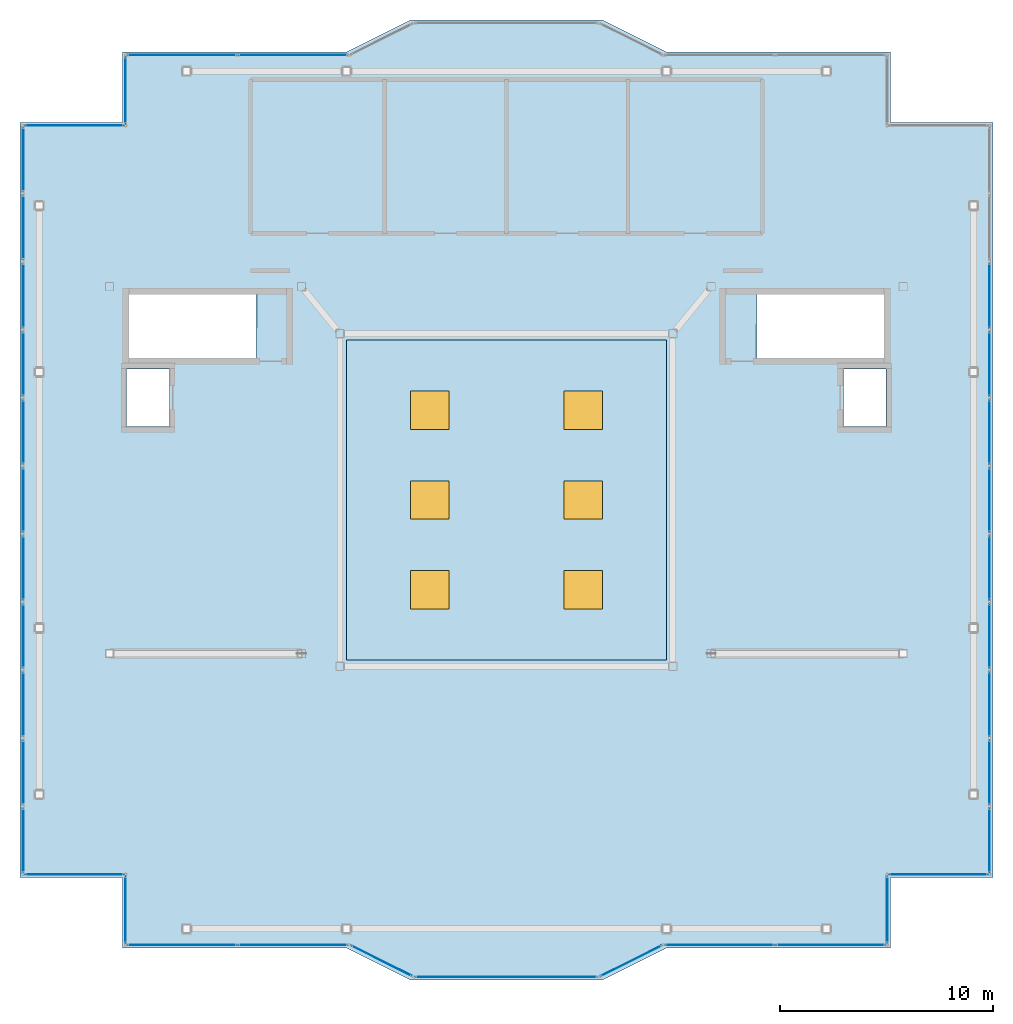
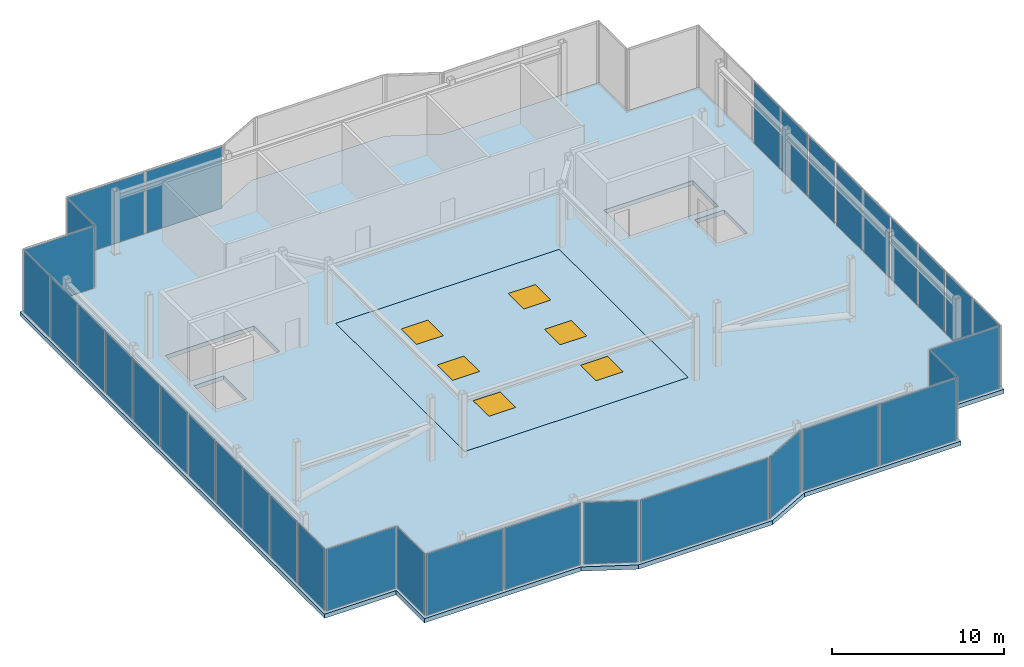
# One storey, part 13 of 18: 35 plates, 6 windows, 2 slabs, 6 openings, 32 elements without a shape of their own.
"""IFC4 building model written with IfcOpenShell, lengths in metres."""

from ifc_helpers import new_model, si_unit, direction, frame, origin, origin_2d, place, context, subcontext, project, spatial, polyline, rectangle, outline, extrude, material, layer, layer_set, type_object, element, fill, aggregate, save


model = new_model("IFC4")

# Units and contexts
model_context = context("Model", 3, precision=1e-05, world=origin(), true_north=direction((0.0, 1.0)))
body_context = subcontext(model_context, "Body", "Model", "MODEL_VIEW")
ifc_project = project(units=[si_unit("LENGTHUNIT", "METRE"), si_unit("AREAUNIT", "SQUARE_METRE"), si_unit("VOLUMEUNIT", "CUBIC_METRE"), si_unit("PLANEANGLEUNIT", "RADIAN"), si_unit("MASSUNIT", "GRAM", prefix="KILO")], contexts=[model_context])

# Site, building, storey
site_placement = place(None, origin())
site = spatial("IfcSite", under=ifc_project, at=site_placement, CompositionType="ELEMENT")
building_placement = place(site_placement, origin())
building = spatial("IfcBuilding", under=site, at=building_placement, Name="Tarnavaz Court Tower", CompositionType="ELEMENT")
storey_placement = place(building_placement, frame((0.0, 0.0, 281.550048828125)))
storey = spatial("IfcBuildingStorey", under=building, at=storey_placement, Name="C01", CompositionType="ELEMENT", Elevation=281.550048828125)

# Curtain wall, plates
ifc_material_1 = material(Name="Anodised Aluminium 6063-T6 and Solar Low-E Glazing", Category="aluminium")
ifc_layer_1 = layer(ifc_material_1, 0.2099609375)
ifc_layer_set_1 = layer_set([ifc_layer_1], Name="Anodised Aluminium 6063-T6 and Solar Low-E Glazing")
curtain_wall_type = type_object("IfcCurtainWallType", Name="CW-SYS-06", PredefinedType="NOTDEFINED", material=ifc_layer_set_1)
curtain_wall_1_placement = place(storey_placement, origin())
curtain_wall_1 = element("IfcCurtainWall", 1, at=curtain_wall_1_placement, inside=storey, type_object=curtain_wall_type, Name="C01 Slanted Crown Terracotta Curtain Wall 1", PredefinedType="NOTDEFINED")
ifc_material_2 = material(Name="Double-Glazed Solar Low-E Glass", Category="glass")
ifc_layer_2 = layer(ifc_material_2, 0.028076171875)
ifc_layer_set_2 = layer_set([ifc_layer_2], Name="Double-Glazed Solar Low-E Glass")
plate_type = type_object("IfcPlateType", Name="CW-PAN-GLZ28", PredefinedType="CURTAIN_PANEL", material=ifc_layer_set_2)
plate_1_placement = place(storey_placement, frame((-9.996337890625, -20.85009765625, 0.06494140625), z_axis=(0.0, 0.0, 1.0), x_axis=(-1.0, 0.0, 0.0)))
plate_1 = element("IfcPlate", 2, at=plate_1_placement, type_object=plate_type, Name="CW panel 1.1", PredefinedType="CURTAIN_PANEL", context=body_context, shape_type="SweptSolid", body=[
    extrude(rectangle(XDim=5.12255859375, YDim=0.028076171875, at=origin_2d()), origin(), (0.0, 0.0, 1.0), 4.3701171875),
])
plate_2_placement = place(storey_placement, frame((-15.203857421875, -20.85009765625, 0.06494140625), z_axis=(0.0, 0.0, 1.0), x_axis=(-1.0, 0.0, 0.0)))
plate_2 = element("IfcPlate", 3, at=plate_2_placement, type_object=plate_type, Name="CW panel 2.1", PredefinedType="CURTAIN_PANEL", context=body_context, shape_type="SweptSolid", body=[
    extrude(rectangle(XDim=5.12255859375, YDim=0.028076171875, at=origin_2d()), origin(), (0.0, 0.0, 1.0), 4.3701171875),
])
aggregate(curtain_wall_1, [plate_1, plate_2])

# Curtain wall, plate
curtain_wall_2_placement = place(storey_placement, origin())
curtain_wall_2 = element("IfcCurtainWall", 4, at=curtain_wall_2_placement, inside=storey, type_object=curtain_wall_type, Name="C01 Slanted Crown Terracotta Curtain Wall 2", PredefinedType="NOTDEFINED")
plate_3_placement = place(storey_placement, frame((-17.85009765625, -19.199951171875, 0.06494140625), z_axis=(0.0, 0.0, 1.0), x_axis=(0.0, 1.0, 0.0)))
plate_3 = element("IfcPlate", 5, at=plate_3_placement, type_object=plate_type, Name="CW panel 1.1", PredefinedType="CURTAIN_PANEL", context=body_context, shape_type="SweptSolid", body=[
    extrude(rectangle(XDim=3.1298828125, YDim=0.028076171875, at=origin_2d()), origin(), (0.0, 0.0, 1.0), 4.3701171875),
])
aggregate(curtain_wall_2, [plate_3])

curtain_wall_3_placement = place(storey_placement, origin())
curtain_wall_3 = element("IfcCurtainWall", 6, at=curtain_wall_3_placement, inside=storey, type_object=curtain_wall_type, Name="C01 Slanted Crown Terracotta Curtain Wall 3", PredefinedType="NOTDEFINED")
plate_4_placement = place(storey_placement, frame((-20.25, -17.550048828125, 0.06494140625), z_axis=(0.0, 0.0, 1.0), x_axis=(-1.0, 0.0, 0.0)))
plate_4 = element("IfcPlate", 7, at=plate_4_placement, type_object=plate_type, Name="CW panel 1.1", PredefinedType="CURTAIN_PANEL", context=body_context, shape_type="SweptSolid", body=[
    extrude(rectangle(XDim=4.6298828125, YDim=0.028076171875, at=origin_2d()), origin(), (0.0, 0.0, 1.0), 4.3701171875),
])
aggregate(curtain_wall_3, [plate_4])

curtain_wall_4_placement = place(storey_placement, origin())
curtain_wall_4 = element("IfcCurtainWall", 8, at=curtain_wall_4_placement, inside=storey, type_object=curtain_wall_type, Name="C01 Slanted Crown Terracotta Curtain Wall 4", PredefinedType="NOTDEFINED")
plate_5_placement = place(storey_placement, frame((-22.64990234375, -15.95458984375, 0.06494140625), z_axis=(0.0, 0.0, 1.0), x_axis=(0.0, 1.0, 0.0)))
plate_5 = element("IfcPlate", 9, at=plate_5_placement, type_object=plate_type, Name="CW panel 1.1", PredefinedType="CURTAIN_PANEL", context=body_context, shape_type="SweptSolid", body=[
    extrude(rectangle(XDim=3.02099609375, YDim=0.028076171875, at=origin_2d()), origin(), (0.0, 0.0, 1.0), 4.3701171875),
])
aggregate(curtain_wall_4, [plate_5])

curtain_wall_5_placement = place(storey_placement, origin())
curtain_wall_5 = element("IfcCurtainWall", 10, at=curtain_wall_5_placement, inside=storey, type_object=curtain_wall_type, Name="C01 Slanted Crown Terracotta Curtain Wall 5", PredefinedType="NOTDEFINED")
plate_6_placement = place(storey_placement, frame((-22.64990234375, -12.763671875, 0.06494140625), z_axis=(0.0, 0.0, 1.0), x_axis=(0.0, 1.0, 0.0)))
plate_6 = element("IfcPlate", 11, at=plate_6_placement, type_object=plate_type, Name="CW panel 1.1", PredefinedType="CURTAIN_PANEL", context=body_context, shape_type="SweptSolid", body=[
    extrude(rectangle(XDim=3.02099609375, YDim=0.028076171875, at=origin_2d()), origin(), (0.0, 0.0, 1.0), 4.3701171875),
])
aggregate(curtain_wall_5, [plate_6])

curtain_wall_6_placement = place(storey_placement, origin())
curtain_wall_6 = element("IfcCurtainWall", 12, at=curtain_wall_6_placement, inside=storey, type_object=curtain_wall_type, Name="C01 Slanted Crown Terracotta Curtain Wall 6", PredefinedType="NOTDEFINED")
plate_7_placement = place(storey_placement, frame((-22.64990234375, -9.57275390625, 0.06494140625), z_axis=(0.0, 0.0, 1.0), x_axis=(0.0, 1.0, 0.0)))
plate_7 = element("IfcPlate", 13, at=plate_7_placement, type_object=plate_type, Name="CW panel 1.1", PredefinedType="CURTAIN_PANEL", context=body_context, shape_type="SweptSolid", body=[
    extrude(rectangle(XDim=3.02099609375, YDim=0.028076171875, at=origin_2d()), origin(), (0.0, 0.0, 1.0), 4.3701171875),
])
aggregate(curtain_wall_6, [plate_7])

curtain_wall_7_placement = place(storey_placement, origin())
curtain_wall_7 = element("IfcCurtainWall", 14, at=curtain_wall_7_placement, inside=storey, type_object=curtain_wall_type, Name="C01 Slanted Crown Terracotta Curtain Wall 7", PredefinedType="NOTDEFINED")
plate_8_placement = place(storey_placement, frame((-22.64990234375, -6.3818359375, 0.06494140625), z_axis=(0.0, 0.0, 1.0), x_axis=(0.0, 1.0, 0.0)))
plate_8 = element("IfcPlate", 15, at=plate_8_placement, type_object=plate_type, Name="CW panel 1.1", PredefinedType="CURTAIN_PANEL", context=body_context, shape_type="SweptSolid", body=[
    extrude(rectangle(XDim=3.02099609375, YDim=0.028076171875, at=origin_2d()), origin(), (0.0, 0.0, 1.0), 4.3701171875),
])
aggregate(curtain_wall_7, [plate_8])

curtain_wall_8_placement = place(storey_placement, origin())
curtain_wall_8 = element("IfcCurtainWall", 16, at=curtain_wall_8_placement, inside=storey, type_object=curtain_wall_type, Name="C01 Slanted Crown Terracotta Curtain Wall 8", PredefinedType="NOTDEFINED")
plate_9_placement = place(storey_placement, frame((-22.64990234375, -3.19091796875, 0.06494140625), z_axis=(0.0, 0.0, 1.0), x_axis=(0.0, 1.0, 0.0)))
plate_9 = element("IfcPlate", 17, at=plate_9_placement, type_object=plate_type, Name="CW panel 1.1", PredefinedType="CURTAIN_PANEL", context=body_context, shape_type="SweptSolid", body=[
    extrude(rectangle(XDim=3.02099609375, YDim=0.028076171875, at=origin_2d()), origin(), (0.0, 0.0, 1.0), 4.3701171875),
])
aggregate(curtain_wall_8, [plate_9])

curtain_wall_9_placement = place(storey_placement, origin())
curtain_wall_9 = element("IfcCurtainWall", 18, at=curtain_wall_9_placement, inside=storey, type_object=curtain_wall_type, Name="C01 Slanted Crown Terracotta Curtain Wall 9", PredefinedType="NOTDEFINED")
plate_10_placement = place(storey_placement, frame((-22.64990234375, 0.0, 0.06494140625), z_axis=(0.0, 0.0, 1.0), x_axis=(0.0, 1.0, 0.0)))
plate_10 = element("IfcPlate", 19, at=plate_10_placement, type_object=plate_type, Name="CW panel 1.1", PredefinedType="CURTAIN_PANEL", context=body_context, shape_type="SweptSolid", body=[
    extrude(rectangle(XDim=3.02099609375, YDim=0.028076171875, at=origin_2d()), origin(), (0.0, 0.0, 1.0), 4.3701171875),
])
aggregate(curtain_wall_9, [plate_10])

curtain_wall_10_placement = place(storey_placement, origin())
curtain_wall_10 = element("IfcCurtainWall", 20, at=curtain_wall_10_placement, inside=storey, type_object=curtain_wall_type, Name="C01 Slanted Crown Terracotta Curtain Wall 10", PredefinedType="NOTDEFINED")
plate_11_placement = place(storey_placement, frame((-22.64990234375, 3.19091796875, 0.06494140625), z_axis=(0.0, 0.0, 1.0), x_axis=(0.0, 1.0, 0.0)))
plate_11 = element("IfcPlate", 21, at=plate_11_placement, type_object=plate_type, Name="CW panel 1.1", PredefinedType="CURTAIN_PANEL", context=body_context, shape_type="SweptSolid", body=[
    extrude(rectangle(XDim=3.02099609375, YDim=0.028076171875, at=origin_2d()), origin(), (0.0, 0.0, 1.0), 4.3701171875),
])
aggregate(curtain_wall_10, [plate_11])

curtain_wall_11_placement = place(storey_placement, origin())
curtain_wall_11 = element("IfcCurtainWall", 22, at=curtain_wall_11_placement, inside=storey, type_object=curtain_wall_type, Name="C01 Slanted Crown Terracotta Curtain Wall 11", PredefinedType="NOTDEFINED")
plate_12_placement = place(storey_placement, frame((-22.64990234375, 6.3818359375, 0.06494140625), z_axis=(0.0, 0.0, 1.0), x_axis=(0.0, 1.0, 0.0)))
plate_12 = element("IfcPlate", 23, at=plate_12_placement, type_object=plate_type, Name="CW panel 1.1", PredefinedType="CURTAIN_PANEL", context=body_context, shape_type="SweptSolid", body=[
    extrude(rectangle(XDim=3.02099609375, YDim=0.028076171875, at=origin_2d()), origin(), (0.0, 0.0, 1.0), 4.3701171875),
])
aggregate(curtain_wall_11, [plate_12])

curtain_wall_12_placement = place(storey_placement, origin())
curtain_wall_12 = element("IfcCurtainWall", 24, at=curtain_wall_12_placement, inside=storey, type_object=curtain_wall_type, Name="C01 Slanted Crown Terracotta Curtain Wall 12", PredefinedType="NOTDEFINED")
plate_13_placement = place(storey_placement, frame((-22.64990234375, 9.57275390625, 0.06494140625), z_axis=(0.0, 0.0, 1.0), x_axis=(0.0, 1.0, 0.0)))
plate_13 = element("IfcPlate", 25, at=plate_13_placement, type_object=plate_type, Name="CW panel 1.1", PredefinedType="CURTAIN_PANEL", context=body_context, shape_type="SweptSolid", body=[
    extrude(rectangle(XDim=3.02099609375, YDim=0.028076171875, at=origin_2d()), origin(), (0.0, 0.0, 1.0), 4.3701171875),
])
aggregate(curtain_wall_12, [plate_13])

curtain_wall_13_placement = place(storey_placement, origin())
curtain_wall_13 = element("IfcCurtainWall", 26, at=curtain_wall_13_placement, inside=storey, type_object=curtain_wall_type, Name="C01 Slanted Crown Terracotta Curtain Wall 13", PredefinedType="NOTDEFINED")
plate_14_placement = place(storey_placement, frame((-22.64990234375, 12.763671875, 0.06494140625), z_axis=(0.0, 0.0, 1.0), x_axis=(0.0, 1.0, 0.0)))
plate_14 = element("IfcPlate", 27, at=plate_14_placement, type_object=plate_type, Name="CW panel 1.1", PredefinedType="CURTAIN_PANEL", context=body_context, shape_type="SweptSolid", body=[
    extrude(rectangle(XDim=3.02099609375, YDim=0.028076171875, at=origin_2d()), origin(), (0.0, 0.0, 1.0), 4.3701171875),
])
aggregate(curtain_wall_13, [plate_14])

curtain_wall_14_placement = place(storey_placement, origin())
curtain_wall_14 = element("IfcCurtainWall", 28, at=curtain_wall_14_placement, inside=storey, type_object=curtain_wall_type, Name="C01 Slanted Crown Terracotta Curtain Wall 14", PredefinedType="NOTDEFINED")
plate_15_placement = place(storey_placement, frame((-22.64990234375, 15.95458984375, 0.06494140625), z_axis=(0.0, 0.0, 1.0), x_axis=(0.0, 1.0, 0.0)))
plate_15 = element("IfcPlate", 29, at=plate_15_placement, type_object=plate_type, Name="CW panel 1.1", PredefinedType="CURTAIN_PANEL", context=body_context, shape_type="SweptSolid", body=[
    extrude(rectangle(XDim=3.02099609375, YDim=0.028076171875, at=origin_2d()), origin(), (0.0, 0.0, 1.0), 4.3701171875),
])
aggregate(curtain_wall_14, [plate_15])

curtain_wall_15_placement = place(storey_placement, origin())
curtain_wall_15 = element("IfcCurtainWall", 30, at=curtain_wall_15_placement, inside=storey, type_object=curtain_wall_type, Name="C01 Slanted Crown Terracotta Curtain Wall 15", PredefinedType="NOTDEFINED")
plate_16_placement = place(storey_placement, frame((-20.25, 17.550048828125, 0.06494140625), z_axis=(0.0, 0.0, 1.0), x_axis=(1.0, 0.0, 0.0)))
plate_16 = element("IfcPlate", 31, at=plate_16_placement, type_object=plate_type, Name="CW panel 1.1", PredefinedType="CURTAIN_PANEL", context=body_context, shape_type="SweptSolid", body=[
    extrude(rectangle(XDim=4.6298828125, YDim=0.028076171875, at=origin_2d()), origin(), (0.0, 0.0, 1.0), 4.3701171875),
])
aggregate(curtain_wall_15, [plate_16])

curtain_wall_16_placement = place(storey_placement, origin())
curtain_wall_16 = element("IfcCurtainWall", 32, at=curtain_wall_16_placement, inside=storey, type_object=curtain_wall_type, Name="C01 Slanted Crown Terracotta Curtain Wall 16", PredefinedType="NOTDEFINED")
plate_17_placement = place(storey_placement, frame((-17.85009765625, 19.199951171875, 0.06494140625), z_axis=(0.0, 0.0, 1.0), x_axis=(0.0, 1.0, 0.0)))
plate_17 = element("IfcPlate", 33, at=plate_17_placement, type_object=plate_type, Name="CW panel 1.1", PredefinedType="CURTAIN_PANEL", context=body_context, shape_type="SweptSolid", body=[
    extrude(rectangle(XDim=3.1298828125, YDim=0.028076171875, at=origin_2d()), origin(), (0.0, 0.0, 1.0), 4.3701171875),
])
aggregate(curtain_wall_16, [plate_17])

# Curtain wall, plates
curtain_wall_17_placement = place(storey_placement, origin())
curtain_wall_17 = element("IfcCurtainWall", 34, at=curtain_wall_17_placement, inside=storey, type_object=curtain_wall_type, Name="C01 Slanted Crown Terracotta Curtain Wall 17", PredefinedType="NOTDEFINED")
plate_18_placement = place(storey_placement, frame((-15.203857421875, 20.85009765625, 0.06494140625), z_axis=(0.0, 0.0, 1.0), x_axis=(1.0, 0.0, 0.0)))
plate_18 = element("IfcPlate", 35, at=plate_18_placement, type_object=plate_type, Name="CW panel 1.1", PredefinedType="CURTAIN_PANEL", context=body_context, shape_type="SweptSolid", body=[
    extrude(rectangle(XDim=5.12255859375, YDim=0.028076171875, at=origin_2d()), origin(), (0.0, 0.0, 1.0), 4.3701171875),
])
plate_19_placement = place(storey_placement, frame((-9.996337890625, 20.85009765625, 0.06494140625), z_axis=(0.0, 0.0, 1.0), x_axis=(1.0, 0.0, 0.0)))
plate_19 = element("IfcPlate", 36, at=plate_19_placement, type_object=plate_type, Name="CW panel 2.1", PredefinedType="CURTAIN_PANEL", context=body_context, shape_type="SweptSolid", body=[
    extrude(rectangle(XDim=5.12255859375, YDim=0.028076171875, at=origin_2d()), origin(), (0.0, 0.0, 1.0), 4.3701171875),
])
aggregate(curtain_wall_17, [plate_18, plate_19])

# Curtain wall, plate
curtain_wall_18_placement = place(storey_placement, origin())
curtain_wall_18 = element("IfcCurtainWall", 37, at=curtain_wall_18_placement, inside=storey, type_object=curtain_wall_type, Name="C01 Slanted Crown Terracotta Curtain Wall 26", PredefinedType="NOTDEFINED")
plate_20_placement = place(storey_placement, frame((22.64990234375, 9.57275390625, 0.06494140625), z_axis=(0.0, 0.0, 1.0), x_axis=(0.0, -1.0, 0.0)))
plate_20 = element("IfcPlate", 38, at=plate_20_placement, type_object=plate_type, Name="CW panel 1.1", PredefinedType="CURTAIN_PANEL", context=body_context, shape_type="SweptSolid", body=[
    extrude(rectangle(XDim=3.02099609375, YDim=0.028076171875, at=origin_2d()), origin(), (0.0, 0.0, 1.0), 4.3701171875),
])
aggregate(curtain_wall_18, [plate_20])

curtain_wall_19_placement = place(storey_placement, origin())
curtain_wall_19 = element("IfcCurtainWall", 39, at=curtain_wall_19_placement, inside=storey, type_object=curtain_wall_type, Name="C01 Slanted Crown Terracotta Curtain Wall 27", PredefinedType="NOTDEFINED")
plate_21_placement = place(storey_placement, frame((22.64990234375, 6.3818359375, 0.06494140625), z_axis=(0.0, 0.0, 1.0), x_axis=(0.0, -1.0, 0.0)))
plate_21 = element("IfcPlate", 40, at=plate_21_placement, type_object=plate_type, Name="CW panel 1.1", PredefinedType="CURTAIN_PANEL", context=body_context, shape_type="SweptSolid", body=[
    extrude(rectangle(XDim=3.02099609375, YDim=0.028076171875, at=origin_2d()), origin(), (0.0, 0.0, 1.0), 4.3701171875),
])
aggregate(curtain_wall_19, [plate_21])

curtain_wall_20_placement = place(storey_placement, origin())
curtain_wall_20 = element("IfcCurtainWall", 41, at=curtain_wall_20_placement, inside=storey, type_object=curtain_wall_type, Name="C01 Slanted Crown Terracotta Curtain Wall 28", PredefinedType="NOTDEFINED")
plate_22_placement = place(storey_placement, frame((22.64990234375, 3.19091796875, 0.06494140625), z_axis=(0.0, 0.0, 1.0), x_axis=(0.0, -1.0, 0.0)))
plate_22 = element("IfcPlate", 42, at=plate_22_placement, type_object=plate_type, Name="CW panel 1.1", PredefinedType="CURTAIN_PANEL", context=body_context, shape_type="SweptSolid", body=[
    extrude(rectangle(XDim=3.02099609375, YDim=0.028076171875, at=origin_2d()), origin(), (0.0, 0.0, 1.0), 4.3701171875),
])
aggregate(curtain_wall_20, [plate_22])

curtain_wall_21_placement = place(storey_placement, origin())
curtain_wall_21 = element("IfcCurtainWall", 43, at=curtain_wall_21_placement, inside=storey, type_object=curtain_wall_type, Name="C01 Slanted Crown Terracotta Curtain Wall 29", PredefinedType="NOTDEFINED")
plate_23_placement = place(storey_placement, frame((22.64990234375, 0.0, 0.06494140625), z_axis=(0.0, 0.0, 1.0), x_axis=(0.0, -1.0, 0.0)))
plate_23 = element("IfcPlate", 44, at=plate_23_placement, type_object=plate_type, Name="CW panel 1.1", PredefinedType="CURTAIN_PANEL", context=body_context, shape_type="SweptSolid", body=[
    extrude(rectangle(XDim=3.02099609375, YDim=0.028076171875, at=origin_2d()), origin(), (0.0, 0.0, 1.0), 4.3701171875),
])
aggregate(curtain_wall_21, [plate_23])

curtain_wall_22_placement = place(storey_placement, origin())
curtain_wall_22 = element("IfcCurtainWall", 45, at=curtain_wall_22_placement, inside=storey, type_object=curtain_wall_type, Name="C01 Slanted Crown Terracotta Curtain Wall 30", PredefinedType="NOTDEFINED")
plate_24_placement = place(storey_placement, frame((22.64990234375, -3.19091796875, 0.06494140625), z_axis=(0.0, 0.0, 1.0), x_axis=(0.0, -1.0, 0.0)))
plate_24 = element("IfcPlate", 46, at=plate_24_placement, type_object=plate_type, Name="CW panel 1.1", PredefinedType="CURTAIN_PANEL", context=body_context, shape_type="SweptSolid", body=[
    extrude(rectangle(XDim=3.02099609375, YDim=0.028076171875, at=origin_2d()), origin(), (0.0, 0.0, 1.0), 4.3701171875),
])
aggregate(curtain_wall_22, [plate_24])

curtain_wall_23_placement = place(storey_placement, origin())
curtain_wall_23 = element("IfcCurtainWall", 47, at=curtain_wall_23_placement, inside=storey, type_object=curtain_wall_type, Name="C01 Slanted Crown Terracotta Curtain Wall 31", PredefinedType="NOTDEFINED")
plate_25_placement = place(storey_placement, frame((22.64990234375, -6.3818359375, 0.06494140625), z_axis=(0.0, 0.0, 1.0), x_axis=(0.0, -1.0, 0.0)))
plate_25 = element("IfcPlate", 48, at=plate_25_placement, type_object=plate_type, Name="CW panel 1.1", PredefinedType="CURTAIN_PANEL", context=body_context, shape_type="SweptSolid", body=[
    extrude(rectangle(XDim=3.02099609375, YDim=0.028076171875, at=origin_2d()), origin(), (0.0, 0.0, 1.0), 4.3701171875),
])
aggregate(curtain_wall_23, [plate_25])

curtain_wall_24_placement = place(storey_placement, origin())
curtain_wall_24 = element("IfcCurtainWall", 49, at=curtain_wall_24_placement, inside=storey, type_object=curtain_wall_type, Name="C01 Slanted Crown Terracotta Curtain Wall 32", PredefinedType="NOTDEFINED")
plate_26_placement = place(storey_placement, frame((22.64990234375, -9.57275390625, 0.06494140625), z_axis=(0.0, 0.0, 1.0), x_axis=(0.0, -1.0, 0.0)))
plate_26 = element("IfcPlate", 50, at=plate_26_placement, type_object=plate_type, Name="CW panel 1.1", PredefinedType="CURTAIN_PANEL", context=body_context, shape_type="SweptSolid", body=[
    extrude(rectangle(XDim=3.02099609375, YDim=0.028076171875, at=origin_2d()), origin(), (0.0, 0.0, 1.0), 4.3701171875),
])
aggregate(curtain_wall_24, [plate_26])

curtain_wall_25_placement = place(storey_placement, origin())
curtain_wall_25 = element("IfcCurtainWall", 51, at=curtain_wall_25_placement, inside=storey, type_object=curtain_wall_type, Name="C01 Slanted Crown Terracotta Curtain Wall 33", PredefinedType="NOTDEFINED")
plate_27_placement = place(storey_placement, frame((22.64990234375, -12.763671875, 0.06494140625), z_axis=(0.0, 0.0, 1.0), x_axis=(0.0, -1.0, 0.0)))
plate_27 = element("IfcPlate", 52, at=plate_27_placement, type_object=plate_type, Name="CW panel 1.1", PredefinedType="CURTAIN_PANEL", context=body_context, shape_type="SweptSolid", body=[
    extrude(rectangle(XDim=3.02099609375, YDim=0.028076171875, at=origin_2d()), origin(), (0.0, 0.0, 1.0), 4.3701171875),
])
aggregate(curtain_wall_25, [plate_27])

curtain_wall_26_placement = place(storey_placement, origin())
curtain_wall_26 = element("IfcCurtainWall", 53, at=curtain_wall_26_placement, inside=storey, type_object=curtain_wall_type, Name="C01 Slanted Crown Terracotta Curtain Wall 34", PredefinedType="NOTDEFINED")
plate_28_placement = place(storey_placement, frame((22.64990234375, -15.95458984375, 0.06494140625), z_axis=(0.0, 0.0, 1.0), x_axis=(0.0, -1.0, 0.0)))
plate_28 = element("IfcPlate", 54, at=plate_28_placement, type_object=plate_type, Name="CW panel 1.1", PredefinedType="CURTAIN_PANEL", context=body_context, shape_type="SweptSolid", body=[
    extrude(rectangle(XDim=3.02099609375, YDim=0.028076171875, at=origin_2d()), origin(), (0.0, 0.0, 1.0), 4.3701171875),
])
aggregate(curtain_wall_26, [plate_28])

curtain_wall_27_placement = place(storey_placement, origin())
curtain_wall_27 = element("IfcCurtainWall", 55, at=curtain_wall_27_placement, inside=storey, type_object=curtain_wall_type, Name="C01 Slanted Crown Terracotta Curtain Wall 35", PredefinedType="NOTDEFINED")
plate_29_placement = place(storey_placement, frame((20.25, -17.550048828125, 0.06494140625), z_axis=(0.0, 0.0, 1.0), x_axis=(-1.0, 0.0, 0.0)))
plate_29 = element("IfcPlate", 56, at=plate_29_placement, type_object=plate_type, Name="CW panel 1.1", PredefinedType="CURTAIN_PANEL", context=body_context, shape_type="SweptSolid", body=[
    extrude(rectangle(XDim=4.6298828125, YDim=0.028076171875, at=origin_2d()), origin(), (0.0, 0.0, 1.0), 4.3701171875),
])
aggregate(curtain_wall_27, [plate_29])

curtain_wall_28_placement = place(storey_placement, origin())
curtain_wall_28 = element("IfcCurtainWall", 57, at=curtain_wall_28_placement, inside=storey, type_object=curtain_wall_type, Name="C01 Slanted Crown Terracotta Curtain Wall 36", PredefinedType="NOTDEFINED")
plate_30_placement = place(storey_placement, frame((17.85009765625, -19.199951171875, 0.06494140625), z_axis=(0.0, 0.0, 1.0), x_axis=(0.0, -1.0, 0.0)))
plate_30 = element("IfcPlate", 58, at=plate_30_placement, type_object=plate_type, Name="CW panel 1.1", PredefinedType="CURTAIN_PANEL", context=body_context, shape_type="SweptSolid", body=[
    extrude(rectangle(XDim=3.1298828125, YDim=0.028076171875, at=origin_2d()), origin(), (0.0, 0.0, 1.0), 4.3701171875),
])
aggregate(curtain_wall_28, [plate_30])

# Curtain wall, plates
curtain_wall_29_placement = place(storey_placement, origin())
curtain_wall_29 = element("IfcCurtainWall", 59, at=curtain_wall_29_placement, inside=storey, type_object=curtain_wall_type, Name="C01 Slanted Crown Terracotta Curtain Wall 37", PredefinedType="NOTDEFINED")
plate_31_placement = place(storey_placement, frame((15.203857421875, -20.85009765625, 0.06494140625), z_axis=(0.0, 0.0, 1.0), x_axis=(-1.0, 0.0, 0.0)))
plate_31 = element("IfcPlate", 60, at=plate_31_placement, type_object=plate_type, Name="CW panel 1.1", PredefinedType="CURTAIN_PANEL", context=body_context, shape_type="SweptSolid", body=[
    extrude(rectangle(XDim=5.12255859375, YDim=0.028076171875, at=origin_2d()), origin(), (0.0, 0.0, 1.0), 4.3701171875),
])
plate_32_placement = place(storey_placement, frame((9.996337890625, -20.85009765625, 0.06494140625), z_axis=(0.0, 0.0, 1.0), x_axis=(-1.0, 0.0, 0.0)))
plate_32 = element("IfcPlate", 61, at=plate_32_placement, type_object=plate_type, Name="CW panel 2.1", PredefinedType="CURTAIN_PANEL", context=body_context, shape_type="SweptSolid", body=[
    extrude(rectangle(XDim=5.12255859375, YDim=0.028076171875, at=origin_2d()), origin(), (0.0, 0.0, 1.0), 4.3701171875),
])
aggregate(curtain_wall_29, [plate_31, plate_32])

# Curtain wall, plate
curtain_wall_30_placement = place(storey_placement, origin())
curtain_wall_30 = element("IfcCurtainWall", 62, at=curtain_wall_30_placement, inside=storey, type_object=curtain_wall_type, Name="C01 Slanted Crown Terracotta Curtain Wall 38", PredefinedType="NOTDEFINED")
plate_33_placement = place(storey_placement, frame((5.85009765625, -21.60009765625, 0.06494140625), z_axis=(0.0, 0.0, 1.0), x_axis=(-0.894427191001, -0.447213595499, 0.0)))
plate_33 = element("IfcPlate", 63, at=plate_33_placement, type_object=plate_type, Name="CW panel 1.1", PredefinedType="CURTAIN_PANEL", context=body_context, shape_type="SweptSolid", body=[
    extrude(rectangle(XDim=3.18408203125, YDim=0.028076171875, at=origin_2d()), origin(), (0.0, 0.0, 1.0), 4.3701171875),
])
aggregate(curtain_wall_30, [plate_33])

curtain_wall_31_placement = place(storey_placement, origin())
curtain_wall_31 = element("IfcCurtainWall", 64, at=curtain_wall_31_placement, inside=storey, type_object=curtain_wall_type, Name="C01 Slanted Crown Terracotta Curtain Wall 39", PredefinedType="NOTDEFINED")
plate_34_placement = place(storey_placement, frame((0.0, -22.35009765625, 0.06494140625), z_axis=(0.0, 0.0, 1.0), x_axis=(-1.0, 0.0, 0.0)))
plate_34 = element("IfcPlate", 65, at=plate_34_placement, type_object=plate_type, Name="CW panel 1.1", PredefinedType="CURTAIN_PANEL", context=body_context, shape_type="SweptSolid", body=[
    extrude(rectangle(XDim=8.530029296875, YDim=0.028076171875, at=origin_2d()), origin(), (0.0, 0.0, 1.0), 4.3701171875),
])
aggregate(curtain_wall_31, [plate_34])

curtain_wall_32_placement = place(storey_placement, origin())
curtain_wall_32 = element("IfcCurtainWall", 66, at=curtain_wall_32_placement, inside=storey, type_object=curtain_wall_type, Name="C01 Slanted Crown Terracotta Curtain Wall 40", PredefinedType="NOTDEFINED")
plate_35_placement = place(storey_placement, frame((-5.85009765625, -21.60009765625, 0.06494140625), z_axis=(0.0, 0.0, 1.0), x_axis=(-0.894427191001, 0.447213595499, 0.0)))
plate_35 = element("IfcPlate", 67, at=plate_35_placement, type_object=plate_type, Name="CW panel 1.1", PredefinedType="CURTAIN_PANEL", context=body_context, shape_type="SweptSolid", body=[
    extrude(rectangle(XDim=3.18408203125, YDim=0.028076171875, at=origin_2d()), origin(), (0.0, 0.0, 1.0), 4.3701171875),
])
aggregate(curtain_wall_32, [plate_35])

# Slab
ifc_material_3 = material(Name="Concrete C40/50", Category="concrete")
ifc_layer_3 = layer(ifc_material_3, 0.300048828125)
ifc_layer_set_3 = layer_set([ifc_layer_3], Name="Concrete C40/50")
slab_type_1 = type_object("IfcSlabType", Name="SL-POD-300", PredefinedType="FLOOR", material=ifc_layer_set_3)
slab_1_placement = place(storey_placement, frame((0.0, 0.0, -0.300048828125)))
element("IfcSlab", 68, at=slab_1_placement, inside=storey, type_object=slab_type_1, Name="C01 Structural Floor Slab", PredefinedType="FLOOR", context=body_context, shape_type="SweptSolid", body=[
    extrude(outline(polyline([(-7.5, -21.0), (-18.0, -21.0), (-18.0, -17.699951171875), (-22.800048828125, -17.699951171875), (-22.800048828125, 17.699951171875), (-18.0, 17.699951171875), (-18.0, 21.0), (-7.5, 21.0), (-4.5, 22.5), (4.5, 22.5), (7.5, 21.0), (18.0, 21.0), (18.0, 17.699951171875), (22.800048828125, 17.699951171875), (22.800048828125, -17.699951171875), (18.0, -17.699951171875), (18.0, -21.0), (7.5, -21.0), (4.5, -22.5), (-4.5, -22.5), (-7.5, -21.0)]), holes=[polyline([(-11.7451171875, 9.639892578125), (-17.699951171875, 9.639892578125), (-17.699951171875, 6.64990234375), (-11.7451171875, 6.64990234375), (-11.7451171875, 9.639892578125)]), polyline([(11.7451171875, 6.64990234375), (17.699951171875, 6.64990234375), (17.699951171875, 9.639892578125), (11.7451171875, 9.639892578125), (11.7451171875, 6.64990234375)]), polyline([(-17.800048828125, 3.449951171875), (-15.800048828125, 3.449951171875), (-15.800048828125, 6.14990234375), (-17.800048828125, 6.14990234375), (-17.800048828125, 3.449951171875)]), polyline([(15.800048828125, 3.449951171875), (17.800048828125, 3.449951171875), (17.800048828125, 6.14990234375), (15.800048828125, 6.14990234375), (15.800048828125, 3.449951171875)]), polyline([(-7.5, -7.5), (7.5, -7.5), (7.5, 7.5), (-7.5, 7.5), (-7.5, -7.5)])]), origin(), (0.0, 0.0, 1.0), 0.300048828125),
])

# Slab, openings, windows
ifc_layer_4 = layer(ifc_material_3, 0.300048828125)
ifc_layer_set_4 = layer_set([ifc_layer_4], Name="Concrete C40/50")
slab_type_2 = type_object("IfcSlabType", Name="SL-ROOF-300", PredefinedType="ROOF", material=ifc_layer_set_4)
slab_2_placement = place(storey_placement, frame((0.0, 0.0, -0.300048828125)))
slab_2 = element("IfcSlab", 69, at=slab_2_placement, inside=storey, type_object=slab_type_2, Name="C01 Badgir Central Courtyard Skylight Roof Slab", PredefinedType="ROOF", context=body_context, shape_type="SweptSolid", body=[
    extrude(outline(polyline([(-7.5, -7.5), (7.5, -7.5), (7.5, 7.5), (-7.5, 7.5), (-7.5, -7.5)]), holes=[polyline([(-4.5, -5.10009765625), (-2.699951171875, -5.10009765625), (-2.699951171875, -3.300048828125), (-4.5, -3.300048828125), (-4.5, -5.10009765625)]), polyline([(-4.5, -0.89990234375), (-2.699951171875, -0.89990234375), (-2.699951171875, 0.89990234375), (-4.5, 0.89990234375), (-4.5, -0.89990234375)]), polyline([(-4.5, 3.300048828125), (-2.699951171875, 3.300048828125), (-2.699951171875, 5.10009765625), (-4.5, 5.10009765625), (-4.5, 3.300048828125)]), polyline([(2.699951171875, -5.10009765625), (4.5, -5.10009765625), (4.5, -3.300048828125), (2.699951171875, -3.300048828125), (2.699951171875, -5.10009765625)]), polyline([(2.699951171875, -0.89990234375), (4.5, -0.89990234375), (4.5, 0.89990234375), (2.699951171875, 0.89990234375), (2.699951171875, -0.89990234375)]), polyline([(2.699951171875, 3.300048828125), (4.5, 3.300048828125), (4.5, 5.10009765625), (2.699951171875, 5.10009765625), (2.699951171875, 3.300048828125)])]), origin(), (0.0, 0.0, 1.0), 0.300048828125),
])
opening_1_placement = place(slab_2_placement, frame((-3.60009765625, -4.199951171875, -0.010009765625)))
opening_1 = element("IfcOpeningElement", 70, at=opening_1_placement, cuts=slab_2, Name="Opening SK1", PredefinedType="OPENING", context=body_context, shape_type="SweptSolid", body=[
    extrude(rectangle(XDim=1.800048828125, YDim=1.800048828125, at=origin_2d()), origin(), (0.0, 0.0, 1.0), 0.320068359375),
])
opening_2_placement = place(slab_2_placement, frame((-3.60009765625, 0.0, -0.010009765625)))
opening_2 = element("IfcOpeningElement", 71, at=opening_2_placement, cuts=slab_2, Name="Opening SK1", PredefinedType="OPENING", context=body_context, shape_type="SweptSolid", body=[
    extrude(rectangle(XDim=1.800048828125, YDim=1.800048828125, at=origin_2d()), origin(), (0.0, 0.0, 1.0), 0.320068359375),
])
opening_3_placement = place(slab_2_placement, frame((-3.60009765625, 4.199951171875, -0.010009765625)))
opening_3 = element("IfcOpeningElement", 72, at=opening_3_placement, cuts=slab_2, Name="Opening SK1", PredefinedType="OPENING", context=body_context, shape_type="SweptSolid", body=[
    extrude(rectangle(XDim=1.800048828125, YDim=1.800048828125, at=origin_2d()), origin(), (0.0, 0.0, 1.0), 0.320068359375),
])
opening_4_placement = place(slab_2_placement, frame((3.60009765625, -4.199951171875, -0.010009765625)))
opening_4 = element("IfcOpeningElement", 73, at=opening_4_placement, cuts=slab_2, Name="Opening SK1", PredefinedType="OPENING", context=body_context, shape_type="SweptSolid", body=[
    extrude(rectangle(XDim=1.800048828125, YDim=1.800048828125, at=origin_2d()), origin(), (0.0, 0.0, 1.0), 0.320068359375),
])
opening_5_placement = place(slab_2_placement, frame((3.60009765625, 0.0, -0.010009765625)))
opening_5 = element("IfcOpeningElement", 74, at=opening_5_placement, cuts=slab_2, Name="Opening SK1", PredefinedType="OPENING", context=body_context, shape_type="SweptSolid", body=[
    extrude(rectangle(XDim=1.800048828125, YDim=1.800048828125, at=origin_2d()), origin(), (0.0, 0.0, 1.0), 0.320068359375),
])
opening_6_placement = place(slab_2_placement, frame((3.60009765625, 4.199951171875, -0.010009765625)))
opening_6 = element("IfcOpeningElement", 75, at=opening_6_placement, cuts=slab_2, Name="Opening SK1", PredefinedType="OPENING", context=body_context, shape_type="SweptSolid", body=[
    extrude(rectangle(XDim=1.800048828125, YDim=1.800048828125, at=origin_2d()), origin(), (0.0, 0.0, 1.0), 0.320068359375),
])
window_type = type_object("IfcWindowType", Name="WN-SKYLIGHT", PartitioningType="SINGLE_PANEL", PredefinedType="SKYLIGHT", material=ifc_material_2)
window_1_placement = place(slab_2_placement, frame((-3.60009765625, -4.199951171875, 0.25)))
window_1 = element("IfcWindow", 76, at=window_1_placement, inside=storey, type_object=window_type, Name="C01 Badgir Courtyard Smoke-Relief Skylight 1", OverallHeight=1.800048828125, OverallWidth=1.800048828125, PartitioningType="SINGLE_PANEL", PredefinedType="SKYLIGHT", context=body_context, shape_type="SweptSolid", body=[
    extrude(rectangle(XDim=1.800048828125, YDim=1.800048828125, at=origin_2d()), origin(), (0.0, 0.0, 1.0), 0.050048828125),
])
fill(opening_1, window_1)
window_2_placement = place(slab_2_placement, frame((-3.60009765625, 0.0, 0.25)))
window_2 = element("IfcWindow", 77, at=window_2_placement, inside=storey, type_object=window_type, Name="C01 Badgir Courtyard Smoke-Relief Skylight 2", OverallHeight=1.800048828125, OverallWidth=1.800048828125, PartitioningType="SINGLE_PANEL", PredefinedType="SKYLIGHT", context=body_context, shape_type="SweptSolid", body=[
    extrude(rectangle(XDim=1.800048828125, YDim=1.800048828125, at=origin_2d()), origin(), (0.0, 0.0, 1.0), 0.050048828125),
])
fill(opening_2, window_2)
window_3_placement = place(slab_2_placement, frame((-3.60009765625, 4.199951171875, 0.25)))
window_3 = element("IfcWindow", 78, at=window_3_placement, inside=storey, type_object=window_type, Name="C01 Badgir Courtyard Smoke-Relief Skylight 3", OverallHeight=1.800048828125, OverallWidth=1.800048828125, PartitioningType="SINGLE_PANEL", PredefinedType="SKYLIGHT", context=body_context, shape_type="SweptSolid", body=[
    extrude(rectangle(XDim=1.800048828125, YDim=1.800048828125, at=origin_2d()), origin(), (0.0, 0.0, 1.0), 0.050048828125),
])
fill(opening_3, window_3)
window_4_placement = place(slab_2_placement, frame((3.60009765625, -4.199951171875, 0.25)))
window_4 = element("IfcWindow", 79, at=window_4_placement, inside=storey, type_object=window_type, Name="C01 Badgir Courtyard Smoke-Relief Skylight 4", OverallHeight=1.800048828125, OverallWidth=1.800048828125, PartitioningType="SINGLE_PANEL", PredefinedType="SKYLIGHT", context=body_context, shape_type="SweptSolid", body=[
    extrude(rectangle(XDim=1.800048828125, YDim=1.800048828125, at=origin_2d()), origin(), (0.0, 0.0, 1.0), 0.050048828125),
])
fill(opening_4, window_4)
window_5_placement = place(slab_2_placement, frame((3.60009765625, 0.0, 0.25)))
window_5 = element("IfcWindow", 80, at=window_5_placement, inside=storey, type_object=window_type, Name="C01 Badgir Courtyard Smoke-Relief Skylight 5", OverallHeight=1.800048828125, OverallWidth=1.800048828125, PartitioningType="SINGLE_PANEL", PredefinedType="SKYLIGHT", context=body_context, shape_type="SweptSolid", body=[
    extrude(rectangle(XDim=1.800048828125, YDim=1.800048828125, at=origin_2d()), origin(), (0.0, 0.0, 1.0), 0.050048828125),
])
fill(opening_5, window_5)
window_6_placement = place(slab_2_placement, frame((3.60009765625, 4.199951171875, 0.25)))
window_6 = element("IfcWindow", 81, at=window_6_placement, inside=storey, type_object=window_type, Name="C01 Badgir Courtyard Smoke-Relief Skylight 6", OverallHeight=1.800048828125, OverallWidth=1.800048828125, PartitioningType="SINGLE_PANEL", PredefinedType="SKYLIGHT", context=body_context, shape_type="SweptSolid", body=[
    extrude(rectangle(XDim=1.800048828125, YDim=1.800048828125, at=origin_2d()), origin(), (0.0, 0.0, 1.0), 0.050048828125),
])
fill(opening_6, window_6)

save(model, "model.ifc")
